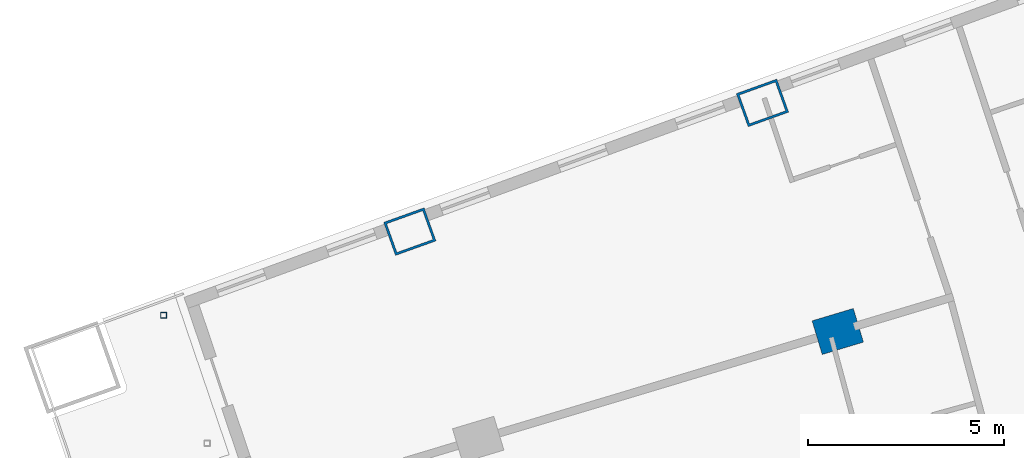
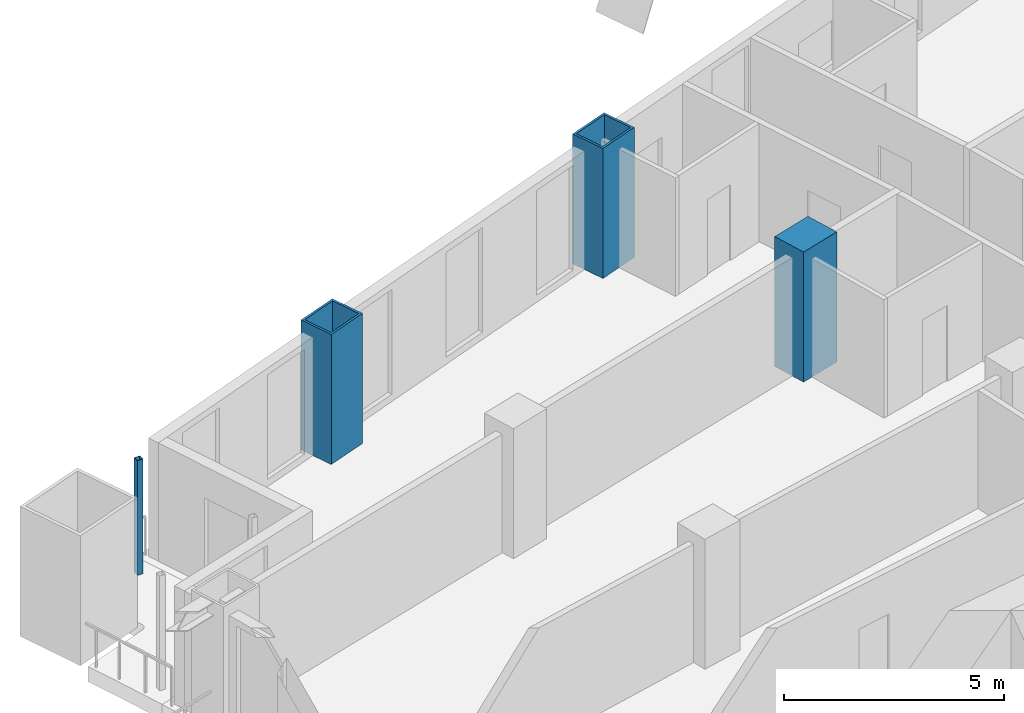
# One storey, part 9 of 24: 4 columns.
"""IFC4 building model written with IfcOpenShell, lengths in metres."""

from ifc_helpers import new_model, si_unit, direction, frame, origin, origin_2d, place, context, subcontext, project, spatial, rectangle, hollow_rectangle, extrude, material, material_profile, profile_set, type_object, element, save


model = new_model("IFC4")

# Units and contexts
model_context = context("Model", 3, precision=1e-05, world=origin(), true_north=direction((0.0, 1.0)))
body_context = subcontext(model_context, "Body", "Model", "MODEL_VIEW")
ifc_project = project(units=[si_unit("LENGTHUNIT", "METRE"), si_unit("AREAUNIT", "SQUARE_METRE"), si_unit("VOLUMEUNIT", "CUBIC_METRE"), si_unit("PLANEANGLEUNIT", "RADIAN"), si_unit("MASSUNIT", "GRAM", prefix="KILO")], contexts=[model_context])

# Site, building, storey
site_placement = place(None, origin())
site = spatial("IfcSite", under=ifc_project, at=site_placement, CompositionType="ELEMENT")
building_placement = place(site_placement, origin())
building = spatial("IfcBuilding", under=site, at=building_placement, Name="Alderwake Tower", CompositionType="ELEMENT")
storey_placement = place(building_placement, frame((0.0, 0.0, 39.199951171875)))
storey = spatial("IfcBuildingStorey", under=building, at=storey_placement, Name="L08", CompositionType="ELEMENT", Elevation=39.199951171875)

# Columns
ifc_material_1 = material(Name="Steel ASTM A572 Grade 50 concrete filled C70/85", Category="concrete")
ifc_material_profile_1 = material_profile(ifc_material_1, hollow_rectangle(XDim=0.89990234375, YDim=1.10009765625, WallThickness=0.06005859375, at=origin_2d()), Name="BOX 1100X900X60")
ifc_profile_set_1 = profile_set([ifc_material_profile_1], Name="Steel ASTM A572 Grade 50 concrete filled C70/85")
column_type_1 = type_object("IfcColumnType", Name="End column Z1", PredefinedType="COLUMN", material=ifc_profile_set_1)
for number, where, z_axis, x_axis, name in (
    (1, (19.965576171875, 96.8515625, 0.0), (0.0, 0.0, 1.0), (-0.337584879279, 0.9412950915, 0.0), "Column R13-C1"),
    (2, (28.983642578125, 100.143310546875, 0.0), (0.0, 0.0, 1.0), (-0.338026774049, 0.941136493834, 0.0), "Column R13-C2"),
):
    element("IfcColumn", number, at=place(storey_placement, frame(where, z_axis=z_axis, x_axis=x_axis)), inside=storey, type_object=column_type_1, Name=name, PredefinedType="COLUMN", context=body_context, shape_type="SweptSolid", body=[
        extrude(hollow_rectangle(XDim=0.89990234375, YDim=1.10009765625, WallThickness=0.06005859375, at=origin_2d()), origin(), (0.0, 0.0, 1.0), 3.60009765625),
    ])
ifc_material_2 = material(Name="Concrete C70/85", Category="concrete")
ifc_material_profile_2 = material_profile(ifc_material_2, rectangle(XDim=0.89990234375, YDim=1.10009765625, at=origin_2d()), Name="RC 1100X900")
ifc_profile_set_2 = profile_set([ifc_material_profile_2], Name="Concrete C70/85")
column_type_2 = type_object("IfcColumnType", Name="Interior column Z1", PredefinedType="COLUMN", material=ifc_profile_set_2)
column_1_placement = place(storey_placement, frame((30.9091796875, 94.298095703125, 0.0), z_axis=(0.0, 0.0, 1.0), x_axis=(-0.287549418125, 0.957765802342, 0.0)))
element("IfcColumn", 3, at=column_1_placement, inside=storey, type_object=column_type_2, Name="Column R12-C2", PredefinedType="COLUMN", context=body_context, shape_type="SweptSolid", body=[
    extrude(rectangle(XDim=0.89990234375, YDim=1.10009765625, at=origin_2d()), origin(), (0.0, 0.0, 1.0), 3.60009765625),
])
ifc_material_3 = material(Name="Steel ASTM A500 Grade C", Category="steel")
ifc_material_profile_3 = material_profile(ifc_material_3, hollow_rectangle(XDim=0.15234375, YDim=0.15234375, WallThickness=0.0087890625, at=origin_2d()), Name="HSS6X6X3/8")
ifc_profile_set_3 = profile_set([ifc_material_profile_3], Name="Steel ASTM A500 Grade C")
column_type_3 = type_object("IfcColumnType", Name="Light post HSS6X6X3/8", PredefinedType="COLUMN", material=ifc_profile_set_3)
column_2_placement = place(storey_placement, frame((13.66796875, 94.71240234375, 0.0), z_axis=(0.0, 0.0, 1.0), x_axis=(1.0, 0.0, 0.0)))
element("IfcColumn", 4, at=column_2_placement, inside=storey, type_object=column_type_3, Name="Terrace post RN2", PredefinedType="COLUMN", context=body_context, shape_type="SweptSolid", body=[
    extrude(hollow_rectangle(XDim=0.15234375, YDim=0.15234375, WallThickness=0.0087890625, at=origin_2d()), origin(), (0.0, 0.0, 1.0), 3.179931640625),
])

save(model, "model.ifc")
